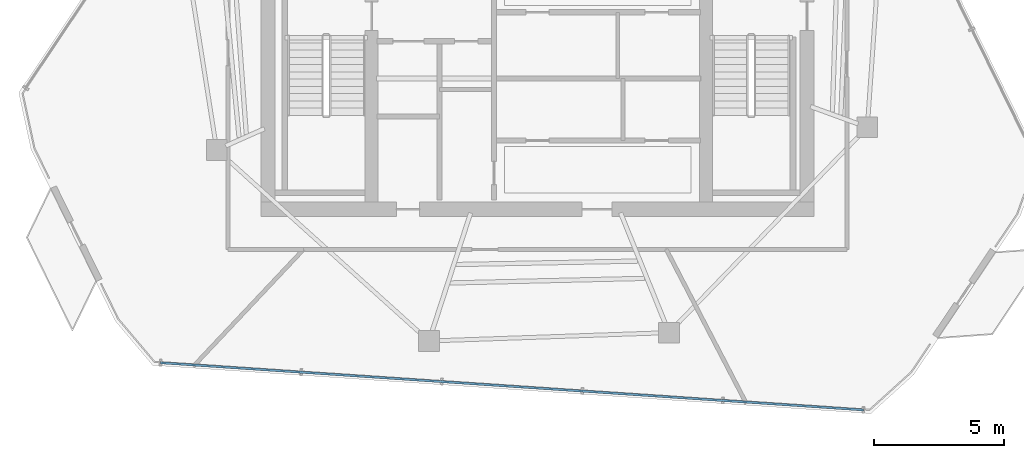
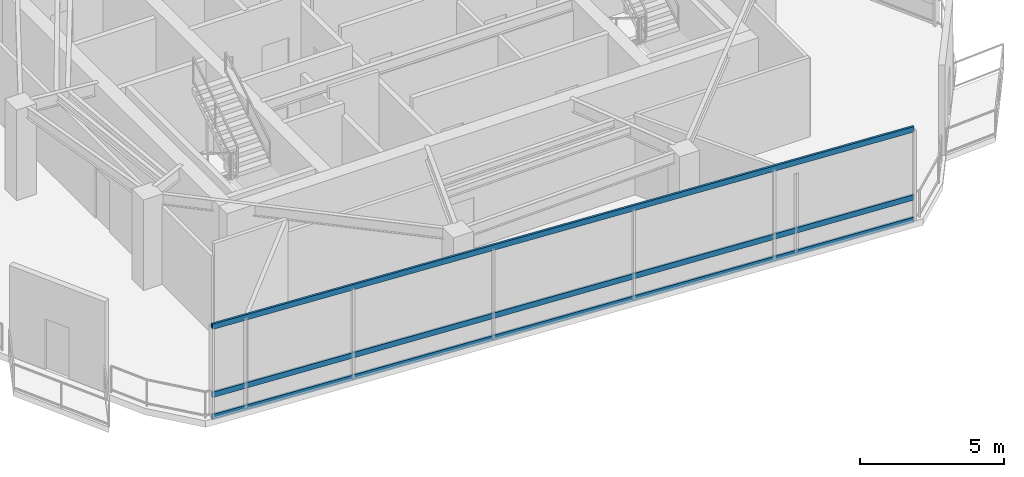
# One storey, part 3 of 18: 3 members, 1 element without a shape of its own.
"""IFC4 building model written with IfcOpenShell, lengths in metres."""

from ifc_helpers import new_model, si_unit, direction, frame, origin, origin_2d, place, context, subcontext, project, spatial, hollow_rectangle, extrude, material, layer, layer_set, material_profile, profile_set, type_object, element, aggregate, save


model = new_model("IFC4")

# Units and contexts
model_context = context("Model", 3, precision=1e-05, world=origin(), true_north=direction((0.0, 1.0)))
body_context = subcontext(model_context, "Body", "Model", "MODEL_VIEW")
ifc_project = project(units=[si_unit("LENGTHUNIT", "METRE"), si_unit("AREAUNIT", "SQUARE_METRE"), si_unit("VOLUMEUNIT", "CUBIC_METRE"), si_unit("PLANEANGLEUNIT", "RADIAN"), si_unit("MASSUNIT", "GRAM", prefix="KILO")], contexts=[model_context])

# Site, building, storey
site_placement = place(None, origin())
site = spatial("IfcSite", under=ifc_project, at=site_placement, CompositionType="ELEMENT")
building_placement = place(site_placement, origin())
building = spatial("IfcBuilding", under=site, at=building_placement, Name="Qarnah Convention Tower", CompositionType="ELEMENT")
storey_placement = place(building_placement, frame((0.0, 0.0, 279.300048828125)))
storey = spatial("IfcBuildingStorey", under=building, at=storey_placement, Name="L75", CompositionType="ELEMENT", Elevation=279.300048828125)

# Curtain wall, members
ifc_material_1 = material(Name="Tempered Low-E dark glass", Category="glass")
ifc_layer = layer(ifc_material_1, 0.177978515625)
ifc_layer_set = layer_set([ifc_layer], Name="Tempered Low-E dark glass")
curtain_wall_type = type_object("IfcCurtainWallType", Name="CWS-06", PredefinedType="NOTDEFINED", material=ifc_layer_set)
curtain_wall_placement = place(storey_placement, origin())
curtain_wall = element("IfcCurtainWall", 1, at=curtain_wall_placement, inside=storey, type_object=curtain_wall_type, Name="L75 unitised curtain wall CW-L75-F3", PredefinedType="NOTDEFINED")
ifc_material_2 = material(Name="Black anodised aluminium", Category="aluminium")
ifc_material_profile = material_profile(ifc_material_2, hollow_rectangle(XDim=0.0849609375, YDim=0.22998046875, WallThickness=0.006103515625, at=origin_2d()), Name="TRN-85X230")
ifc_profile_set = profile_set([ifc_material_profile], Name="Black anodised aluminium")
member_type = type_object("IfcMemberType", Name="TRN-T6", PredefinedType="USERDEFINED", material=ifc_profile_set)
member_1_placement = place(storey_placement, frame((49.779052734375, 10.85107421875, 0.0), z_axis=(-0.99775385418, 0.066986912676, 0.0), x_axis=(-0.066986912676, -0.99775385418, 0.0)))
member_1 = element("IfcMember", 2, at=member_1_placement, type_object=member_type, Name="CW-L75-F3 transom 1", ObjectType="TRANSOM", PredefinedType="USERDEFINED", context=body_context, shape_type="SweptSolid", body=[
    extrude(hollow_rectangle(XDim=0.0849609375, YDim=0.22998046875, WallThickness=0.006103515625, at=origin_2d()), origin(), (0.0, 0.0, 1.0), 27.18505859375),
])
member_2_placement = place(storey_placement, frame((49.779052734375, 10.85107421875, 0.949951171875), z_axis=(-0.99775385418, 0.066986912676, 0.0), x_axis=(-0.066986912676, -0.99775385418, 0.0)))
member_2 = element("IfcMember", 3, at=member_2_placement, type_object=member_type, Name="CW-L75-F3 transom 2", ObjectType="TRANSOM", PredefinedType="USERDEFINED", context=body_context, shape_type="SweptSolid", body=[
    extrude(hollow_rectangle(XDim=0.0849609375, YDim=0.22998046875, WallThickness=0.006103515625, at=origin_2d()), origin(), (0.0, 0.0, 1.0), 27.18505859375),
])
member_3_placement = place(storey_placement, frame((49.779052734375, 10.85107421875, 3.83984375), z_axis=(-0.99775385418, 0.066986912676, 0.0), x_axis=(-0.066986912676, -0.99775385418, 0.0)))
member_3 = element("IfcMember", 4, at=member_3_placement, type_object=member_type, Name="CW-L75-F3 transom 3", ObjectType="TRANSOM", PredefinedType="USERDEFINED", context=body_context, shape_type="SweptSolid", body=[
    extrude(hollow_rectangle(XDim=0.0849609375, YDim=0.22998046875, WallThickness=0.006103515625, at=origin_2d()), origin(), (0.0, 0.0, 1.0), 27.18505859375),
])
aggregate(curtain_wall, [member_1, member_2, member_3])

save(model, "model.ifc")
